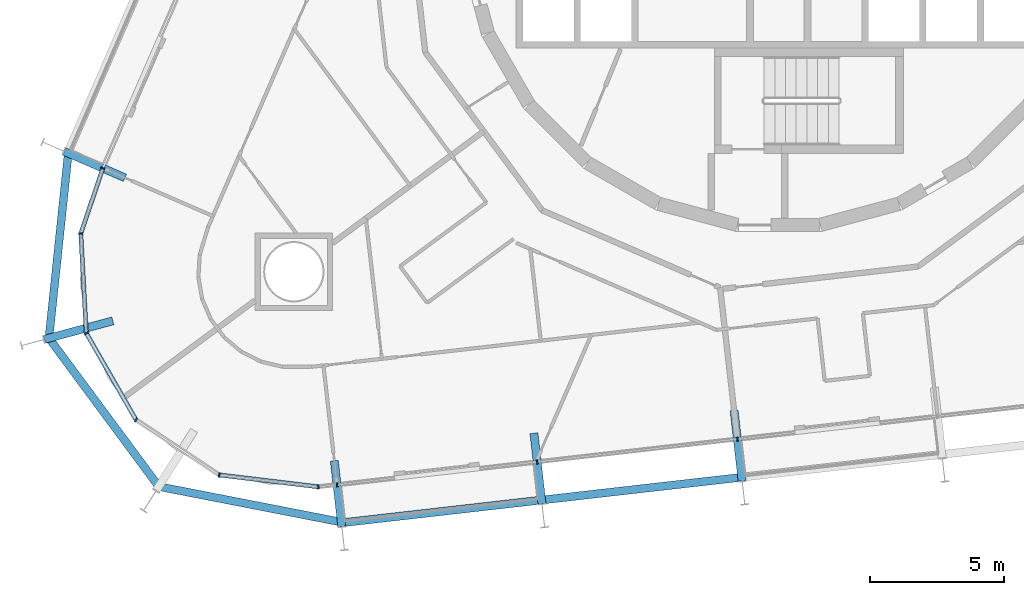
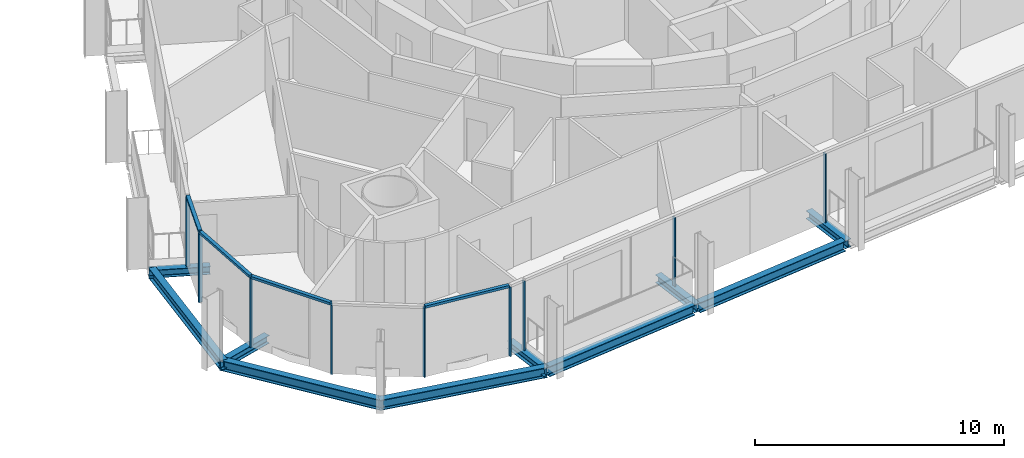
# One storey, part 3 of 22: 13 members, 10 beams, 2 elements without a shape of their own.
"""IFC4 building model written with IfcOpenShell, lengths in metres."""

from ifc_helpers import new_model, si_unit, direction, frame, origin, origin_2d, place, context, subcontext, project, spatial, rectangle, i_section, extrude, material, layer, layer_set, material_profile, profile_set, type_object, element, aggregate, save


model = new_model("IFC4")

# Units and contexts
model_context = context("Model", 3, precision=1e-05, world=origin(), true_north=direction((0.0, 1.0)))
body_context = subcontext(model_context, "Body", "Model", "MODEL_VIEW")
ifc_project = project(units=[si_unit("LENGTHUNIT", "METRE"), si_unit("AREAUNIT", "SQUARE_METRE"), si_unit("VOLUMEUNIT", "CUBIC_METRE"), si_unit("PLANEANGLEUNIT", "RADIAN"), si_unit("MASSUNIT", "GRAM", prefix="KILO")], contexts=[model_context])

# Site, building, storey
site_placement = place(None, origin())
site = spatial("IfcSite", under=ifc_project, at=site_placement, CompositionType="ELEMENT")
building_placement = place(site_placement, origin())
building = spatial("IfcBuilding", under=site, at=building_placement, Name="Spindle Arch Residences", CompositionType="ELEMENT")
storey_placement = place(building_placement, frame((0.0, 0.0, 80.199951171875)))
storey = spatial("IfcBuildingStorey", under=building, at=storey_placement, Name="L18", CompositionType="ELEMENT", Elevation=80.199951171875)

# Curtain wall, members
ifc_material_1 = material(Name="Aluminium bronze unitised frame with tinted glass", Category="aluminium")
ifc_layer_1 = layer(ifc_material_1, 0.159912109375)
ifc_layer_set_1 = layer_set([ifc_layer_1], Name="CW-D corner wall on the fillet arcs")
curtain_wall_type_1 = type_object("IfcCurtainWallType", Name="CW-D corner wall on the fillet arcs", PredefinedType="NOTDEFINED", material=ifc_layer_set_1)
curtain_wall_1_placement = place(storey_placement, origin())
curtain_wall_1 = element("IfcCurtainWall", 1, at=curtain_wall_1_placement, inside=storey, type_object=curtain_wall_type_1, Name="CW-D L18 run 5", PredefinedType="NOTDEFINED")
ifc_material_2 = material(Name="Aluminium bronze anodised mullion", Category="aluminium")
ifc_material_profile_1 = material_profile(ifc_material_2, rectangle(XDim=0.159912109375, YDim=0.06005859375, at=origin_2d()), Name="MU 60x160")
ifc_profile_set_1 = profile_set([ifc_material_profile_1], Name="Aluminium bronze anodised mullion")
member_type_1 = type_object("IfcMemberType", Name="Bronze mullion 60x160", PredefinedType="MULLION", material=ifc_profile_set_1)
member_1_placement = place(storey_placement, frame((-25.22900390625, -9.527099609375, -0.3798828125), z_axis=(0.0, 0.0, 1.0), x_axis=(0.947509671237, -0.319727106941, 0.0)))
member_1 = element("IfcMember", 2, at=member_1_placement, type_object=member_type_1, Name="CW-D mullion 00", PredefinedType="MULLION", context=body_context, shape_type="SweptSolid", body=[
    extrude(rectangle(XDim=0.159912109375, YDim=0.06005859375, at=origin_2d()), origin(), (0.0, 0.0, 1.0), 3.3798828125),
])
member_2_placement = place(storey_placement, frame((-26.052001953125, -11.96630859375, -0.3798828125), z_axis=(0.0, 0.0, 1.0), x_axis=(0.998473071057, 0.055240622495, 0.0)))
member_2 = element("IfcMember", 3, at=member_2_placement, type_object=member_type_1, Name="CW-D mullion 01", PredefinedType="MULLION", context=body_context, shape_type="SweptSolid", body=[
    extrude(rectangle(XDim=0.159912109375, YDim=0.06005859375, at=origin_2d()), origin(), (0.0, 0.0, 1.0), 3.3798828125),
])
member_3_placement = place(storey_placement, frame((-25.84619140625, -15.687255859375, -0.3798828125), z_axis=(0.0, 0.0, 1.0), x_axis=(0.867476179247, 0.497478721595, 0.0)))
member_3 = element("IfcMember", 4, at=member_3_placement, type_object=member_type_1, Name="CW-D mullion 02", PredefinedType="MULLION", context=body_context, shape_type="SweptSolid", body=[
    extrude(rectangle(XDim=0.159912109375, YDim=0.06005859375, at=origin_2d()), origin(), (0.0, 0.0, 1.0), 3.3798828125),
])
member_4_placement = place(storey_placement, frame((-23.9921875, -18.920166015625, -0.3798828125), z_axis=(0.0, 0.0, 1.0), x_axis=(0.551936987903, 0.833885820352, 0.0)))
member_4 = element("IfcMember", 5, at=member_4_placement, type_object=member_type_1, Name="CW-D mullion 03", PredefinedType="MULLION", context=body_context, shape_type="SweptSolid", body=[
    extrude(rectangle(XDim=0.159912109375, YDim=0.06005859375, at=origin_2d()), origin(), (0.0, 0.0, 1.0), 3.3798828125),
])
member_5_placement = place(storey_placement, frame((-20.884521484375, -20.97705078125, -0.3798828125), z_axis=(0.0, 0.0, 1.0), x_axis=(0.118981636756, 0.992896454881, 0.0)))
member_5 = element("IfcMember", 6, at=member_5_placement, type_object=member_type_1, Name="CW-D mullion 04", PredefinedType="MULLION", context=body_context, shape_type="SweptSolid", body=[
    extrude(rectangle(XDim=0.159912109375, YDim=0.06005859375, at=origin_2d()), origin(), (0.0, 0.0, 1.0), 3.3798828125),
])
member_6_placement = place(storey_placement, frame((-17.18408203125, -21.42041015625, -0.3798828125), z_axis=(0.0, 0.0, 1.0), x_axis=(-0.113203213768, 0.993571855677, 0.0)))
member_6 = element("IfcMember", 7, at=member_6_placement, type_object=member_type_1, Name="CW-D mullion 05", PredefinedType="MULLION", context=body_context, shape_type="SweptSolid", body=[
    extrude(rectangle(XDim=0.159912109375, YDim=0.06005859375, at=origin_2d()), origin(), (0.0, 0.0, 1.0), 3.3798828125),
])

ifc_material_3 = material(Name="Aluminium bronze unitised frame with tinted glass", Category="aluminium")
ifc_layer_2 = layer(ifc_material_3, 0.159912109375)
ifc_layer_set_2 = layer_set([ifc_layer_2], Name="CW-C typical residential unitised wall")
curtain_wall_type_2 = type_object("IfcCurtainWallType", Name="CW-C typical residential unitised wall", PredefinedType="NOTDEFINED", material=ifc_layer_set_2)
curtain_wall_2_placement = place(storey_placement, origin())
curtain_wall_2 = element("IfcCurtainWall", 8, at=curtain_wall_2_placement, inside=storey, type_object=curtain_wall_type_2, Name="CW-C L18 run 6", PredefinedType="NOTDEFINED")
member_7_placement = place(storey_placement, frame((-16.487060546875, -21.341064453125, -0.3798828125), z_axis=(0.0, 0.0, 1.0), x_axis=(-0.113203213768, 0.993571855677, 0.0)))
member_7 = element("IfcMember", 9, at=member_7_placement, type_object=member_type_1, Name="CW-C mullion 21", PredefinedType="MULLION", context=body_context, shape_type="SweptSolid", body=[
    extrude(rectangle(XDim=0.159912109375, YDim=0.06005859375, at=origin_2d()), origin(), (0.0, 0.0, 1.0), 3.3798828125),
])
member_8_placement = place(storey_placement, frame((-9.0166015625, -20.489990234375, -0.3798828125), z_axis=(0.0, 0.0, 1.0), x_axis=(-0.113203213768, 0.993571855677, 0.0)))
member_8 = element("IfcMember", 10, at=member_8_placement, type_object=member_type_1, Name="CW-C mullion 22", PredefinedType="MULLION", context=body_context, shape_type="SweptSolid", body=[
    extrude(rectangle(XDim=0.159912109375, YDim=0.06005859375, at=origin_2d()), origin(), (0.0, 0.0, 1.0), 3.3798828125),
])
member_9_placement = place(storey_placement, frame((-1.546142578125, -19.638671875, -0.3798828125), z_axis=(0.0, 0.0, 1.0), x_axis=(-0.113203213768, 0.993571855677, 0.0)))
member_9 = element("IfcMember", 11, at=member_9_placement, type_object=member_type_1, Name="CW-C mullion 23", PredefinedType="MULLION", context=body_context, shape_type="SweptSolid", body=[
    extrude(rectangle(XDim=0.159912109375, YDim=0.06005859375, at=origin_2d()), origin(), (0.0, 0.0, 1.0), 3.3798828125),
])
aggregate(curtain_wall_2, [member_7, member_8, member_9])

# Member
ifc_material_4 = material(Name="Aluminium bronze anodised transom", Category="aluminium")
ifc_material_profile_2 = material_profile(ifc_material_4, rectangle(XDim=0.159912109375, YDim=0.1201171875, at=origin_2d()), Name="TR 120x160")
ifc_profile_set_2 = profile_set([ifc_material_profile_2], Name="Aluminium bronze anodised transom")
member_type_2 = type_object("IfcMemberType", Name="Bronze transom 120x160", PredefinedType="USERDEFINED", material=ifc_profile_set_2)
member_10_placement = place(storey_placement, frame((-25.238525390625, -9.5556640625, 3.06005859375), z_axis=(-0.319779733892, -0.947491911201, 0.0), x_axis=(0.947491911201, -0.319779733892, 0.0)))
member_10 = element("IfcMember", 12, at=member_10_placement, type_object=member_type_2, Name="CW-D transom 00", ObjectType="TRANSOM", PredefinedType="USERDEFINED", context=body_context, shape_type="SweptSolid", body=[
    extrude(rectangle(XDim=0.159912109375, YDim=0.1201171875, at=origin_2d()), origin(), (0.0, 0.0, 1.0), 2.51416015625),
])

member_11_placement = place(storey_placement, frame((-26.05029296875, -11.99609375, 3.06005859375), z_axis=(0.055197130558, -0.998475476303, 0.0), x_axis=(0.998475476303, 0.055197130558, 0.0)))
member_11 = element("IfcMember", 13, at=member_11_placement, type_object=member_type_2, Name="CW-D transom 01", ObjectType="TRANSOM", PredefinedType="USERDEFINED", context=body_context, shape_type="SweptSolid", body=[
    extrude(rectangle(XDim=0.159912109375, YDim=0.1201171875, at=origin_2d()), origin(), (0.0, 0.0, 1.0), 3.666748046875),
])

member_12_placement = place(storey_placement, frame((-25.831298828125, -15.71337890625, 3.06005859375), z_axis=(0.497515065253, -0.867455335937, 0.0), x_axis=(0.867455335937, 0.497515065253, 0.0)))
member_12 = element("IfcMember", 14, at=member_12_placement, type_object=member_type_2, Name="CW-D transom 02", ObjectType="TRANSOM", PredefinedType="USERDEFINED", context=body_context, shape_type="SweptSolid", body=[
    extrude(rectangle(XDim=0.159912109375, YDim=0.1201171875, at=origin_2d()), origin(), (0.0, 0.0, 1.0), 3.666748046875),
])

member_13_placement = place(storey_placement, frame((-20.854736328125, -20.980712890625, 3.06005859375), z_axis=(0.992896987084, -0.118977195462, 0.0), x_axis=(0.118977195462, 0.992896987084, 0.0)))
member_13 = element("IfcMember", 15, at=member_13_placement, type_object=member_type_2, Name="CW-D transom 04", ObjectType="TRANSOM", PredefinedType="USERDEFINED", context=body_context, shape_type="SweptSolid", body=[
    extrude(rectangle(XDim=0.159912109375, YDim=0.1201171875, at=origin_2d()), origin(), (0.0, 0.0, 1.0), 3.6669921875),
])

aggregate(curtain_wall_1, [member_1, member_10, member_2, member_11, member_3, member_12, member_4, member_5, member_13, member_6])

# Beams
ifc_material_5 = material(Name="Steel S460ML, intumescent coating R 120", Category="steel")
ifc_material_profile_3 = material_profile(ifc_material_5, i_section(OverallWidth=0.300048828125, OverallDepth=0.5, WebThickness=0.014404296875, FlangeThickness=0.028076171875, FilletRadius=0.027099609375, at=origin_2d()), Name="HEB 500")
ifc_profile_set_3 = profile_set([ifc_material_profile_3], Name="Steel S460ML, intumescent coating R 120")
beam_type_1 = type_object("IfcBeamType", Name="Exoskeleton edge beam HEB 500", PredefinedType="BEAM", material=ifc_profile_set_3)
beam_1_placement = place(storey_placement, frame((-26.509521484375, -8.8935546875, -0.6298828125), z_axis=(-0.104068514681, -0.994570130384, 0.0), x_axis=(0.994570130384, -0.104068514681, 0.0)))
element("IfcBeam", 16, at=beam_1_placement, inside=storey, type_object=beam_type_1, Name="Exoskeleton edge beam 19", PredefinedType="BEAM", context=body_context, shape_type="SweptSolid", body=[
    extrude(i_section(OverallWidth=0.300048828125, OverallDepth=0.5, WebThickness=0.014404296875, FlangeThickness=0.028076171875, FilletRadius=0.027099609375, at=origin_2d()), origin(), (0.0, 0.0, 1.0), 7.09423828125),
])
beam_2_placement = place(storey_placement, frame((-27.297607421875, -15.791259765625, -0.6298828125), z_axis=(0.594811393653, -0.803865290942, 0.0), x_axis=(0.803865290942, 0.594811393653, 0.0)))
element("IfcBeam", 17, at=beam_2_placement, inside=storey, type_object=beam_type_1, Name="Exoskeleton edge beam 20", PredefinedType="BEAM", context=body_context, shape_type="SweptSolid", body=[
    extrude(i_section(OverallWidth=0.300048828125, OverallDepth=0.5, WebThickness=0.014404296875, FlangeThickness=0.028076171875, FilletRadius=0.027099609375, at=origin_2d()), origin(), (0.0, 0.0, 1.0), 7.08642578125),
])
beam_3_placement = place(storey_placement, frame((-23.218994140625, -21.39404296875, -0.6298828125), z_axis=(0.981537577594, -0.191269401033, 0.0), x_axis=(0.191269401033, 0.981537577594, 0.0)))
element("IfcBeam", 18, at=beam_3_placement, inside=storey, type_object=beam_type_1, Name="Exoskeleton edge beam 21", PredefinedType="BEAM", context=body_context, shape_type="SweptSolid", body=[
    extrude(i_section(OverallWidth=0.300048828125, OverallDepth=0.5, WebThickness=0.014404296875, FlangeThickness=0.028076171875, FilletRadius=0.027099609375, at=origin_2d()), origin(), (0.0, 0.0, 1.0), 7.09423828125),
])
for number, where, z_axis, x_axis, name in (
    (19, (-16.19580078125, -22.750244140625, -0.6298828125), (0.993570992395, 0.11321079044, 0.0), (-0.11321079044, 0.993570992395, 0.0), "Exoskeleton edge beam 22"),
    (20, (-8.725341796875, -21.899169921875, -0.6298828125), (0.993570992395, 0.11321079044, 0.0), (-0.11321079044, 0.993570992395, 0.0), "Exoskeleton edge beam 23"),
):
    element("IfcBeam", number, at=place(storey_placement, frame(where, z_axis=z_axis, x_axis=x_axis)), inside=storey, type_object=beam_type_1, Name=name, PredefinedType="BEAM", context=body_context, shape_type="SweptSolid", body=[
        extrude(i_section(OverallWidth=0.300048828125, OverallDepth=0.5, WebThickness=0.014404296875, FlangeThickness=0.028076171875, FilletRadius=0.027099609375, at=origin_2d()), origin(), (0.0, 0.0, 1.0), 7.2587890625),
    ])
ifc_material_6 = material(Name="Steel S460ML, intumescent coating R 120", Category="steel")
ifc_material_profile_4 = material_profile(ifc_material_6, i_section(OverallWidth=0.300048828125, OverallDepth=0.389892578125, WebThickness=0.010986328125, FlangeThickness=0.01904296875, FilletRadius=0.027099609375, at=origin_2d()), Name="HEA 400")
ifc_profile_set_4 = profile_set([ifc_material_profile_4], Name="Steel S460ML, intumescent coating R 120")
beam_type_2 = type_object("IfcBeamType", Name="Floor outrigger HEA 400", PredefinedType="BEAM", material=ifc_profile_set_4)
beam_4_placement = place(storey_placement, frame((-26.668701171875, -8.901123046875, -0.574951171875), z_axis=(0.917057489876, -0.398755012836, 0.0), x_axis=(0.398755012836, 0.917057489876, 0.0)))
element("IfcBeam", 21, at=beam_4_placement, inside=storey, type_object=beam_type_2, Name="Floor outrigger 19", PredefinedType="BEAM", context=body_context, shape_type="SweptSolid", body=[
    extrude(i_section(OverallWidth=0.300048828125, OverallDepth=0.389892578125, WebThickness=0.010986328125, FlangeThickness=0.01904296875, FilletRadius=0.027099609375, at=origin_2d()), origin(), (0.0, 0.0, 1.0), 2.47119140625),
])
beam_5_placement = place(storey_placement, frame((-27.41259765625, -15.918212890625, -0.574951171875), z_axis=(0.965139144412, 0.261737333837, 0.0), x_axis=(-0.261737333837, 0.965139144412, 0.0)))
element("IfcBeam", 22, at=beam_5_placement, inside=storey, type_object=beam_type_2, Name="Floor outrigger 20", PredefinedType="BEAM", context=body_context, shape_type="SweptSolid", body=[
    extrude(i_section(OverallWidth=0.300048828125, OverallDepth=0.389892578125, WebThickness=0.010986328125, FlangeThickness=0.01904296875, FilletRadius=0.027099609375, at=origin_2d()), origin(), (0.0, 0.0, 1.0), 2.64990234375),
])
beam_6_placement = place(storey_placement, frame((-16.309326171875, -22.90087890625, -0.574951171875), z_axis=(-0.113228917078, 0.993568926818, 0.0), x_axis=(-0.993568926818, -0.113228917078, 0.0)))
element("IfcBeam", 23, at=beam_6_placement, inside=storey, type_object=beam_type_2, Name="Floor outrigger 22", PredefinedType="BEAM", context=body_context, shape_type="SweptSolid", body=[
    extrude(i_section(OverallWidth=0.300048828125, OverallDepth=0.389892578125, WebThickness=0.010986328125, FlangeThickness=0.01904296875, FilletRadius=0.027099609375, at=origin_2d()), origin(), (0.0, 0.0, 1.0), 2.470947265625),
])
beam_7_placement = place(storey_placement, frame((-8.8388671875, -22.0498046875, -0.574951171875), z_axis=(-0.113232173128, 0.993568555747, 0.0), x_axis=(-0.993568555747, -0.113232173128, 0.0)))
element("IfcBeam", 24, at=beam_7_placement, inside=storey, type_object=beam_type_2, Name="Floor outrigger 23", PredefinedType="BEAM", context=body_context, shape_type="SweptSolid", body=[
    extrude(i_section(OverallWidth=0.300048828125, OverallDepth=0.389892578125, WebThickness=0.010986328125, FlangeThickness=0.01904296875, FilletRadius=0.027099609375, at=origin_2d()), origin(), (0.0, 0.0, 1.0), 2.64990234375),
])
beam_8_placement = place(storey_placement, frame((-1.368408203125, -21.19873046875, -0.574951171875), z_axis=(-0.113221808681, 0.993569736878, 0.0), x_axis=(-0.993569736878, -0.113221808681, 0.0)))
element("IfcBeam", 25, at=beam_8_placement, inside=storey, type_object=beam_type_2, Name="Floor outrigger 24", PredefinedType="BEAM", context=body_context, shape_type="SweptSolid", body=[
    extrude(i_section(OverallWidth=0.300048828125, OverallDepth=0.389892578125, WebThickness=0.010986328125, FlangeThickness=0.01904296875, FilletRadius=0.027099609375, at=origin_2d()), origin(), (0.0, 0.0, 1.0), 2.650146484375),
])

save(model, "model.ifc")
